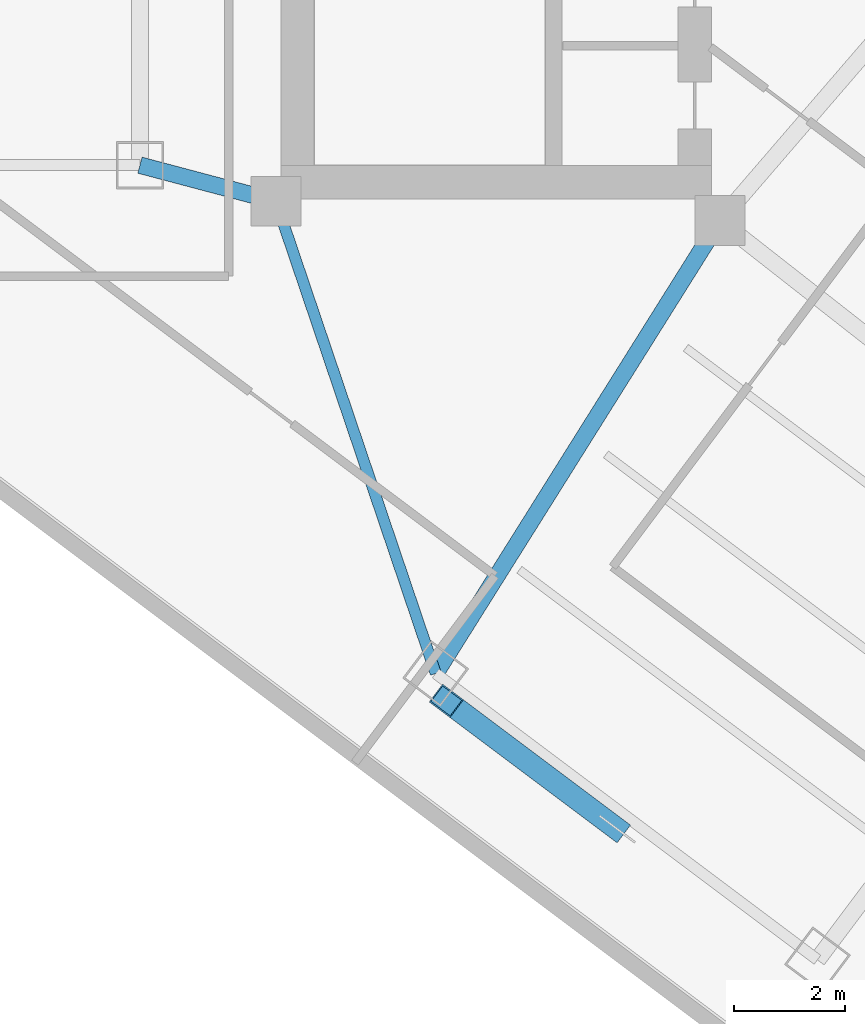
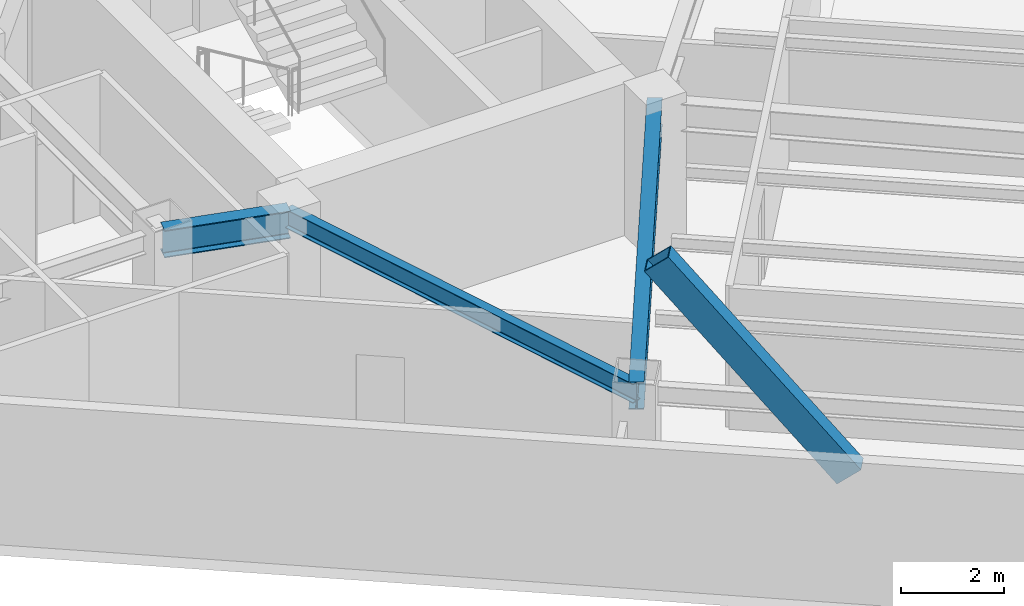
# One storey, part 3 of 28: 3 beams, 1 member.
"""IFC4 building model written with IfcOpenShell, lengths in metres."""

from ifc_helpers import new_model, si_unit, direction, frame, origin, origin_2d, place, context, subcontext, project, spatial, hollow_rectangle, i_section, extrude, material, material_profile, profile_set, type_object, element, save


model = new_model("IFC4")

# Units and contexts
model_context = context("Model", 3, precision=1e-05, world=origin(), true_north=direction((0.0, 1.0)))
body_context = subcontext(model_context, "Body", "Model", "MODEL_VIEW")
ifc_project = project(units=[si_unit("LENGTHUNIT", "METRE"), si_unit("AREAUNIT", "SQUARE_METRE"), si_unit("VOLUMEUNIT", "CUBIC_METRE"), si_unit("PLANEANGLEUNIT", "RADIAN"), si_unit("MASSUNIT", "GRAM", prefix="KILO")], contexts=[model_context])

# Site, building, storey
site_placement = place(None, origin())
site = spatial("IfcSite", under=ifc_project, at=site_placement, CompositionType="ELEMENT")
building_placement = place(site_placement, origin())
building = spatial("IfcBuilding", under=site, at=building_placement, Name="Hatsunagi Terrace Concourse", CompositionType="ELEMENT")
storey_placement = place(building_placement, frame((0.0, 0.0, 138.449951171875)))
storey = spatial("IfcBuildingStorey", under=building, at=storey_placement, Name="L36", CompositionType="ELEMENT", Elevation=138.449951171875)

# Beams
ifc_material_1 = material(Name="Steel SN490B", Category="steel")
ifc_material_profile_1 = material_profile(ifc_material_1, i_section(OverallWidth=0.300048828125, OverallDepth=0.64990234375, WebThickness=0.012939453125, FlangeThickness=0.02197265625, FilletRadius=0.01806640625, at=origin_2d()), Name="H-650x300x13x22")
ifc_profile_set_1 = profile_set([ifc_material_profile_1], Name="Steel SN490B")
beam_type_1 = type_object("IfcBeamType", Name="OfficeLowGirder_H_650x300", PredefinedType="BEAM", material=ifc_profile_set_1)
beam_1_placement = place(storey_placement, frame((33.35009765625, 25.199951171875, 3.025146484375), z_axis=(0.966569840116, -0.256403479262, 0.0), x_axis=(0.256403479262, 0.966569840116, 0.0)))
element("IfcBeam", 1, at=beam_1_placement, inside=storey, type_object=beam_type_1, Name="Beam G-05 BM-L36-K2CB", PredefinedType="BEAM", context=body_context, shape_type="SweptSolid", body=[
    extrude(i_section(OverallWidth=0.300048828125, OverallDepth=0.64990234375, WebThickness=0.012939453125, FlangeThickness=0.02197265625, FilletRadius=0.01806640625, at=origin_2d()), origin(), (0.0, 0.0, 1.0), 2.53466796875),
])
beam_2_placement = place(storey_placement, frame((38.679931640625, 16.0400390625, 3.025146484375), z_axis=(0.531503907049, 0.847055840421, 0.0), x_axis=(-0.847055840421, 0.531503907049, 0.0)))
element("IfcBeam", 2, at=beam_2_placement, inside=storey, type_object=beam_type_1, Name="Beam G-05 BM-L36-SET-1A", PredefinedType="BEAM", context=body_context, shape_type="SweptSolid", body=[
    extrude(i_section(OverallWidth=0.300048828125, OverallDepth=0.64990234375, WebThickness=0.012939453125, FlangeThickness=0.02197265625, FilletRadius=0.01806640625, at=origin_2d()), origin(), (0.0, 0.0, 1.0), 9.63330078125),
])
ifc_material_2 = material(Name="Steel SN490B", Category="steel")
ifc_material_profile_2 = material_profile(ifc_material_2, i_section(OverallWidth=0.199951171875, OverallDepth=0.449951171875, WebThickness=0.009033203125, FlangeThickness=0.013916015625, FilletRadius=0.01611328125, at=origin_2d()), Name="H-450x200x9x14")
ifc_profile_set_2 = profile_set([ifc_material_profile_2], Name="Steel SN490B")
beam_type_2 = type_object("IfcBeamType", Name="PerimeterSpandrel_H_450x200", PredefinedType="SPANDREL", material=ifc_profile_set_2)
beam_3_placement = place(storey_placement, frame((35.800048828125, 24.550048828125, 3.125), z_axis=(0.320553412271, -0.947230441805, 0.0), x_axis=(0.947230441805, 0.320553412271, 0.0)))
element("IfcBeam", 3, at=beam_3_placement, inside=storey, type_object=beam_type_2, Name="Beam SP-02 BM-L36-SE-SW0", PredefinedType="SPANDREL", context=body_context, shape_type="SweptSolid", body=[
    extrude(i_section(OverallWidth=0.199951171875, OverallDepth=0.449951171875, WebThickness=0.009033203125, FlangeThickness=0.013916015625, FilletRadius=0.01611328125, at=origin_2d()), origin(), (0.0, 0.0, 1.0), 8.984130859375),
])

# Member
ifc_material_3 = material(Name="Steel SN490B", Category="steel")
ifc_material_profile_3 = material_profile(ifc_material_3, hollow_rectangle(XDim=0.39990234375, YDim=0.60009765625, WallThickness=0.02490234375, at=origin_2d()), Name="RHS-600x400x25")
ifc_profile_set_3 = profile_set([ifc_material_profile_3], Name="Steel SN490B")
member_type = type_object("IfcMemberType", Name="PerimeterXBrace_Mid_RHS_600x400x25", PredefinedType="BRACE", material=ifc_profile_set_3)
member_placement = place(storey_placement, frame((38.8720703125, 15.5458984375, 6.510009765625), z_axis=(0.498342457802, -0.373807368785, -0.782254974924), x_axis=(0.600051906341, 0.799961067613, 0.0)))
element("IfcMember", 4, at=member_placement, inside=storey, type_object=member_type, Name="Perimeter X-Brace Split Upper XB-02 XB-L35-SEB1", PredefinedType="BRACE", context=body_context, shape_type="SweptSolid", body=[
    extrude(hollow_rectangle(XDim=0.39990234375, YDim=0.60009765625, WallThickness=0.02490234375, at=origin_2d()), origin(), (0.0, 0.0, 1.0), 6.0400390625),
])

save(model, "model.ifc")
